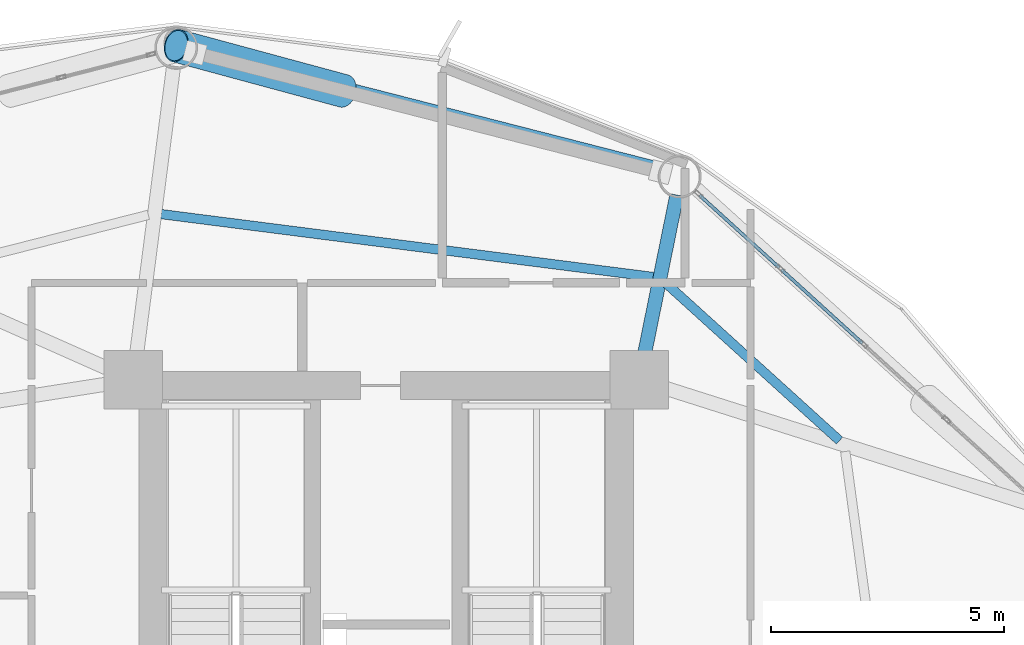
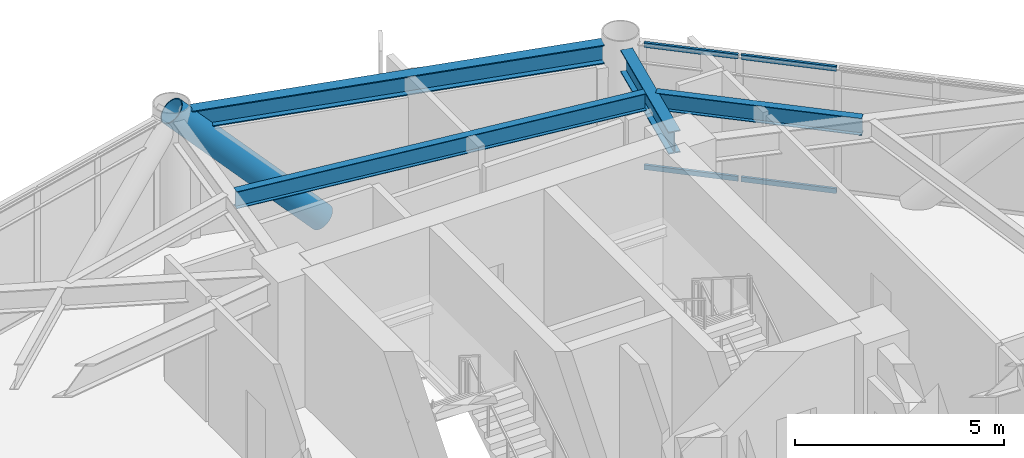
# One storey, part 17 of 25: 5 members, 4 beams, 1 element without a shape of its own.
"""IFC4 building model written with IfcOpenShell, lengths in metres."""

from ifc_helpers import new_model, si_unit, direction, frame, origin, origin_2d, place, context, subcontext, project, spatial, hollow_rectangle, hollow_circle, i_section, extrude, material, layer, layer_set, material_profile, profile_set, type_object, element, aggregate, save


model = new_model("IFC4")

# Units and contexts
model_context = context("Model", 3, precision=1e-05, world=origin(), true_north=direction((0.0, 1.0)))
body_context = subcontext(model_context, "Body", "Model", "MODEL_VIEW")
ifc_project = project(units=[si_unit("LENGTHUNIT", "METRE"), si_unit("AREAUNIT", "SQUARE_METRE"), si_unit("VOLUMEUNIT", "CUBIC_METRE"), si_unit("PLANEANGLEUNIT", "RADIAN"), si_unit("MASSUNIT", "GRAM", prefix="KILO")], contexts=[model_context])

# Site, building, storey
site_placement = place(None, origin())
site = spatial("IfcSite", under=ifc_project, at=site_placement, CompositionType="ELEMENT")
building_placement = place(site_placement, origin())
building = spatial("IfcBuilding", under=site, at=building_placement, Name="Varnakorn Sky Granary", CompositionType="ELEMENT")
storey_placement = place(building_placement, frame((0.0, 0.0, 70.5)))
storey = spatial("IfcBuildingStorey", under=building, at=storey_placement, Name="L17", CompositionType="ELEMENT", Elevation=70.5)

# Beams
ifc_material_1 = material(Name="Steel S355JR", Category="steel")
ifc_material_profile_1 = material_profile(ifc_material_1, i_section(OverallWidth=0.300048828125, OverallDepth=0.64990234375, WebThickness=0.01611328125, FlangeThickness=0.031005859375, at=origin_2d()), Name="HE 650 B")
ifc_profile_set_1 = profile_set([ifc_material_profile_1], Name="Steel S355JR")
beam_type_1 = type_object("IfcBeamType", Name="BM-RAD-Z1", PredefinedType="BEAM", material=ifc_profile_set_1)
beam_1_placement = place(storey_placement, frame((8.503662109375, 13.031494140625, 3.31494140625), z_axis=(0.199252102601, 0.979948263741, 0.0), x_axis=(-0.979948263741, 0.199252102601, 0.0)))
element("IfcBeam", 1, at=beam_1_placement, inside=storey, type_object=beam_type_1, Name="Radial Floor Girder RG03 L17", PredefinedType="BEAM", context=body_context, shape_type="SweptSolid", body=[
    extrude(i_section(OverallWidth=0.300048828125, OverallDepth=0.64990234375, WebThickness=0.01611328125, FlangeThickness=0.031005859375, at=origin_2d()), origin(), (0.0, 0.0, 1.0), 3.621826171875),
])
ifc_material_profile_2 = material_profile(ifc_material_1, i_section(OverallWidth=0.199951171875, OverallDepth=0.5, WebThickness=0.01025390625, FlangeThickness=0.01611328125, at=origin_2d()), Name="IPE 500")
ifc_profile_set_2 = profile_set([ifc_material_profile_2], Name="Steel S355JR")
beam_type_2 = type_object("IfcBeamType", Name="BM-SEC-Z1", PredefinedType="BEAM", material=ifc_profile_set_2)
beam_2_placement = place(storey_placement, frame((12.71044921875, 11.31884765625, 3.389892578125), z_axis=(-0.740794535939, 0.671731684174, 0.0), x_axis=(-0.671731684174, -0.740794535939, 0.0)))
element("IfcBeam", 2, at=beam_2_placement, inside=storey, type_object=beam_type_2, Name="Secondary Floor Chord Beam MSB02 L17", PredefinedType="BEAM", context=body_context, shape_type="SweptSolid", body=[
    extrude(i_section(OverallWidth=0.199951171875, OverallDepth=0.5, WebThickness=0.01025390625, FlangeThickness=0.01611328125, at=origin_2d()), origin(), (0.0, 0.0, 1.0), 5.051513671875),
])
beam_3_placement = place(storey_placement, frame((8.7255859375, 14.823974609375, 3.389892578125), z_axis=(-0.991934002453, 0.126755413206, 0.0), x_axis=(-0.126755413206, -0.991934002453, 0.0)))
element("IfcBeam", 3, at=beam_3_placement, inside=storey, type_object=beam_type_2, Name="Secondary Floor Chord Beam MSB03 L17", PredefinedType="BEAM", context=body_context, shape_type="SweptSolid", body=[
    extrude(i_section(OverallWidth=0.199951171875, OverallDepth=0.5, WebThickness=0.01025390625, FlangeThickness=0.01611328125, at=origin_2d()), origin(), (0.0, 0.0, 1.0), 10.6337890625),
])
ifc_material_profile_3 = material_profile(ifc_material_1, i_section(OverallWidth=0.300048828125, OverallDepth=0.550048828125, WebThickness=0.014892578125, FlangeThickness=0.029052734375, at=origin_2d()), Name="HE 550 B")
ifc_profile_set_3 = profile_set([ifc_material_profile_3], Name="Steel S355JR")
beam_type_3 = type_object("IfcBeamType", Name="BM-SPD-Z1", PredefinedType="SPANDREL", material=ifc_profile_set_3)
beam_4_placement = place(storey_placement, frame((8.88525390625, 17.12353515625, 3.364990234375), z_axis=(-0.968786255359, 0.247897542196, 0.0), x_axis=(-0.247897542196, -0.968786255359, 0.0)))
element("IfcBeam", 4, at=beam_4_placement, inside=storey, type_object=beam_type_3, Name="Perimeter Spandrel Ring Beam RB03 L17", PredefinedType="SPANDREL", context=body_context, shape_type="SweptSolid", body=[
    extrude(i_section(OverallWidth=0.300048828125, OverallDepth=0.550048828125, WebThickness=0.014892578125, FlangeThickness=0.029052734375, at=origin_2d()), origin(), (0.0, 0.0, 1.0), 10.27783203125),
])

# Curtain wall, members
ifc_material_2 = material(Name="Anodised Bronze Aluminium Alloy 6063-T6", Category="aluminium")
ifc_layer = layer(ifc_material_2, 0.18994140625, Name="Anodised Bronze Aluminium Alloy 6063-T6")
ifc_layer_set = layer_set([ifc_layer], Name="Anodised Bronze Aluminium Alloy 6063-T6")
curtain_wall_type = type_object("IfcCurtainWallType", Name="CW-FRM-1", PredefinedType="USERDEFINED", material=ifc_layer_set)
curtain_wall_placement = place(storey_placement, origin())
curtain_wall = element("IfcCurtainWall", 5, at=curtain_wall_placement, inside=storey, type_object=curtain_wall_type, Name="Unitised Curtain Wall CW3 CW-L17-B02", ObjectType="CURTAIN WALL", PredefinedType="USERDEFINED")
ifc_material_profile_4 = material_profile(ifc_material_2, hollow_rectangle(XDim=0.070068359375, YDim=0.139892578125, WallThickness=0.00341796875, at=origin_2d()), Name="ALU TRAN 70x140")
ifc_profile_set_4 = profile_set([ifc_material_profile_4], Name="Anodised Bronze Aluminium Alloy 6063-T6")
member_type_1 = type_object("IfcMemberType", Name="CW-FRM-1-TRAN", PredefinedType="USERDEFINED", material=ifc_profile_set_4)
member_1_placement = place(storey_placement, frame((9.7138671875, 16.57421875, 0.034912109375), z_axis=(0.740021633712, -0.67258306672, 0.0), x_axis=(0.67258306672, 0.740021633712, 0.0)))
member_1 = element("IfcMember", 6, at=member_1_placement, type_object=member_type_1, Name="CW3 transom 1.1", ObjectType="TRANSOM", PredefinedType="USERDEFINED", context=body_context, shape_type="SweptSolid", body=[
    extrude(hollow_rectangle(XDim=0.070068359375, YDim=0.139892578125, WallThickness=0.00341796875, at=origin_2d()), origin(), (0.0, 0.0, 1.0), 2.302490234375),
])
member_2_placement = place(storey_placement, frame((9.7138671875, 16.57421875, 3.60498046875), z_axis=(0.740021633712, -0.67258306672, 0.0), x_axis=(0.67258306672, 0.740021633712, 0.0)))
member_2 = element("IfcMember", 7, at=member_2_placement, type_object=member_type_1, Name="CW3 transom 1.2", ObjectType="TRANSOM", PredefinedType="USERDEFINED", context=body_context, shape_type="SweptSolid", body=[
    extrude(hollow_rectangle(XDim=0.070068359375, YDim=0.139892578125, WallThickness=0.00341796875, at=origin_2d()), origin(), (0.0, 0.0, 1.0), 2.302490234375),
])
member_3_placement = place(storey_placement, frame((11.469482421875, 14.978515625, 0.034912109375), z_axis=(0.740039317957, -0.672563608797, 0.0), x_axis=(0.672563608797, 0.740039317957, 0.0)))
member_3 = element("IfcMember", 8, at=member_3_placement, type_object=member_type_1, Name="CW3 transom 2.1", ObjectType="TRANSOM", PredefinedType="USERDEFINED", context=body_context, shape_type="SweptSolid", body=[
    extrude(hollow_rectangle(XDim=0.070068359375, YDim=0.139892578125, WallThickness=0.00341796875, at=origin_2d()), origin(), (0.0, 0.0, 1.0), 2.33740234375),
])
member_4_placement = place(storey_placement, frame((11.469482421875, 14.978515625, 3.60498046875), z_axis=(0.740039317957, -0.672563608797, 0.0), x_axis=(0.672563608797, 0.740039317957, 0.0)))
member_4 = element("IfcMember", 9, at=member_4_placement, type_object=member_type_1, Name="CW3 transom 2.2", ObjectType="TRANSOM", PredefinedType="USERDEFINED", context=body_context, shape_type="SweptSolid", body=[
    extrude(hollow_rectangle(XDim=0.070068359375, YDim=0.139892578125, WallThickness=0.00341796875, at=origin_2d()), origin(), (0.0, 0.0, 1.0), 2.33740234375),
])
aggregate(curtain_wall, [member_1, member_2, member_3, member_4])

# Member
ifc_material_3 = material(Name="Steel S460M", Category="steel")
ifc_material_profile_5 = material_profile(ifc_material_3, hollow_circle(Radius=0.35546875, WallThickness=0.02490234375, at=origin_2d()), Name="CHS 711x25")
ifc_profile_set_5 = profile_set([ifc_material_profile_5], Name="Steel S460M")
member_type_2 = type_object("IfcMemberType", Name="MB-DIAG-T0", PredefinedType="BRACE", material=ifc_profile_set_5)
member_5_placement = place(storey_placement, frame((2.09326171875, 18.80908203125, -0.1298828125), z_axis=(-0.678247143993, 0.183455760309, 0.71156503264), x_axis=(-0.261102298752, -0.965311136156, 0.0)))
element("IfcMember", 10, at=member_5_placement, inside=storey, type_object=member_type_2, Name="Perimeter CHS Diagrid Brace DG03 L17", PredefinedType="BRACE", context=body_context, shape_type="SweptSolid", body=[
    extrude(hollow_circle(Radius=0.35546875, WallThickness=0.02490234375, at=origin_2d()), origin(), (0.0, 0.0, 1.0), 5.2978515625),
])

save(model, "model.ifc")
